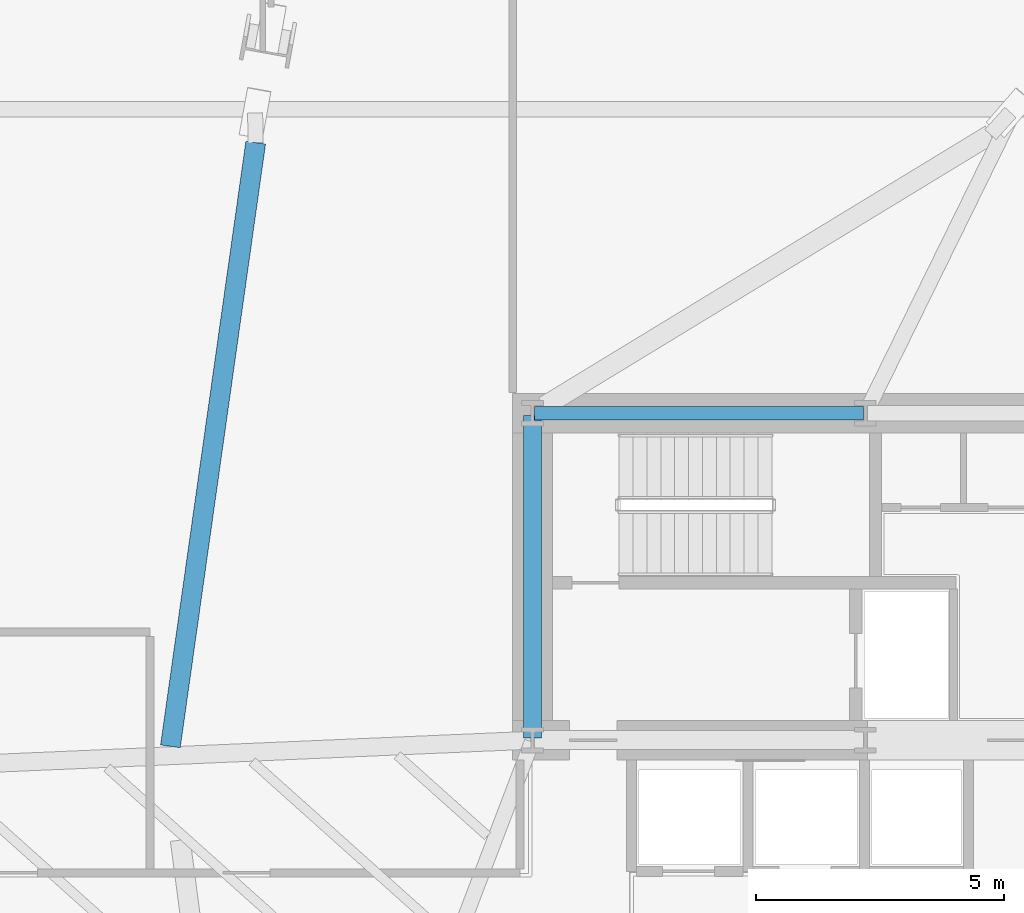
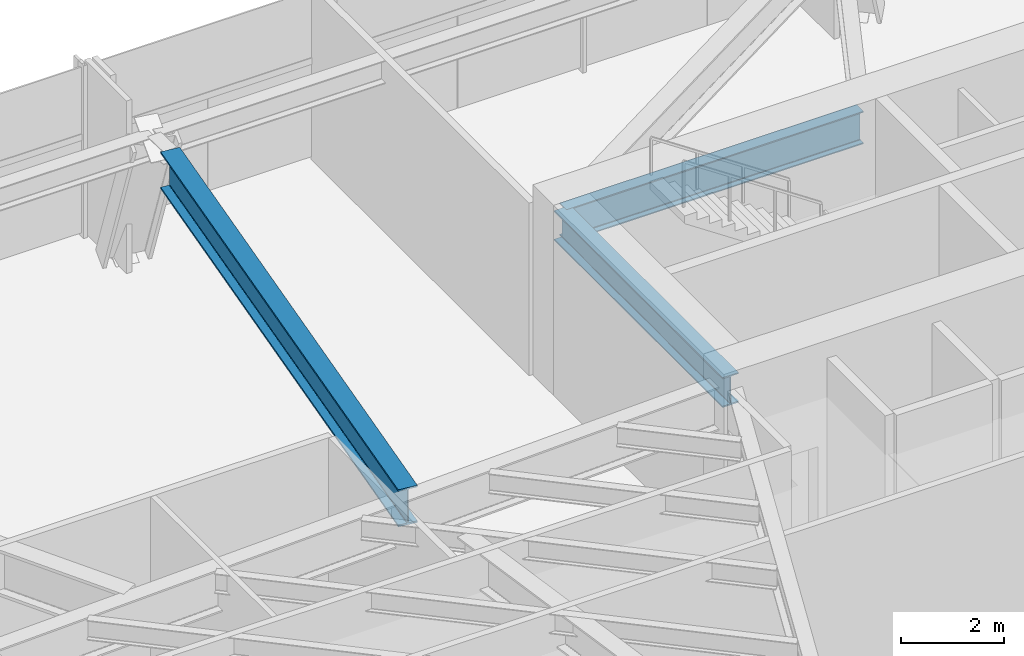
# One storey, part 11 of 30: 3 beams.
"""IFC4 building model written with IfcOpenShell, lengths in metres."""

from ifc_helpers import new_model, si_unit, direction, frame, origin, origin_2d, place, context, subcontext, project, spatial, i_section, extrude, source, transform, mapped, material, material_profile, profile_set, type_object, type_shapes, element, save


model = new_model("IFC4")

# Units and contexts
model_context = context("Model", 3, precision=1e-05, world=origin(), true_north=direction((0.0, 1.0)))
body_context = subcontext(model_context, "Body", "Model", "MODEL_VIEW")
ifc_project = project(units=[si_unit("LENGTHUNIT", "METRE"), si_unit("AREAUNIT", "SQUARE_METRE"), si_unit("VOLUMEUNIT", "CUBIC_METRE"), si_unit("PLANEANGLEUNIT", "RADIAN"), si_unit("MASSUNIT", "GRAM", prefix="KILO")], contexts=[model_context])

# Site, building, storey
site_placement = place(None, origin())
site = spatial("IfcSite", under=ifc_project, at=site_placement, CompositionType="ELEMENT")
building_placement = place(site_placement, origin())
building = spatial("IfcBuilding", under=site, at=building_placement, Name="Astriad Promenade Condominiums", CompositionType="ELEMENT")
storey_placement = place(building_placement, frame((0.0, 0.0, 14.0)))
storey = spatial("IfcBuildingStorey", under=building, at=storey_placement, Name="L03", CompositionType="ELEMENT", Elevation=14.0)

# Beams
ifc_material = material(Name="Steel ASTM A992 Grade 50", Category="steel")
ifc_material_profile_1 = material_profile(ifc_material, i_section(OverallWidth=0.267822265625, OverallDepth=0.76953125, WebThickness=0.015625, FlangeThickness=0.025390625, FilletRadius=0.021484375, at=origin_2d()), Name="W30X132")
ifc_profile_set_1 = profile_set([ifc_material_profile_1], Name="Steel ASTM A992 Grade 50")
beam_type_1 = type_object("IfcBeamType", Name="STEEL FLOOR GIRDER W30X132", PredefinedType="BEAM", material=ifc_profile_set_1)
shared_shape_1 = source(origin(), body_context, "Body", "SweptSolid", [
    extrude(i_section(OverallWidth=0.267822265625, OverallDepth=0.76953125, WebThickness=0.015625, FlangeThickness=0.025390625, FilletRadius=0.021484375, at=origin_2d()), origin(), (0.0, 0.0, 1.0), 6.64013671875),
])
type_shapes(beam_type_1, [shared_shape_1])
beam_1_placement = place(storey_placement, frame((26.43994140625, 24.0, 3.6953125), z_axis=(1.0, 0.0, 0.0), x_axis=(0.0, 1.0, 0.0)))
element("IfcBeam", 1, at=beam_1_placement, inside=storey, type_object=beam_type_1, Name="Core Ring Beam CG-N1-L03", PredefinedType="BEAM", context=body_context, shape_type="MappedRepresentation", body=[
    mapped(shared_shape_1, transform((0.0, 0.0, 0.0), scale=1.0)),
])
ifc_material_profile_2 = material_profile(ifc_material, i_section(OverallWidth=0.35791015625, OverallDepth=0.706298828125, WebThickness=0.018310546875, FlangeThickness=0.0302734375, FilletRadius=0.020263671875, at=origin_2d()), Name="W27X178")
ifc_profile_set_2 = profile_set([ifc_material_profile_2], Name="Steel ASTM A992 Grade 50")
beam_type_2 = type_object("IfcBeamType", Name="STEEL FLOOR GIRDER W27X178", PredefinedType="BEAM", material=ifc_profile_set_2)
shared_shape_2 = source(origin(), body_context, "Body", "SweptSolid", [
    extrude(i_section(OverallWidth=0.35791015625, OverallDepth=0.706298828125, WebThickness=0.018310546875, FlangeThickness=0.0302734375, FilletRadius=0.020263671875, at=origin_2d()), origin(), (0.0, 0.0, 1.0), 6.52001953125),
])
type_shapes(beam_type_2, [shared_shape_2])
beam_2_placement = place(storey_placement, frame((26.39990234375, 17.43994140625, 3.726806640625), z_axis=(0.0, 1.0, 0.0), x_axis=(-1.0, 0.0, 0.0)))
element("IfcBeam", 2, at=beam_2_placement, inside=storey, type_object=beam_type_2, Name="Core Ring Beam CG-W1-L03", PredefinedType="BEAM", context=body_context, shape_type="MappedRepresentation", body=[
    mapped(shared_shape_2, transform((0.0, 0.0, 0.0), scale=1.0)),
])
ifc_material_profile_3 = material_profile(ifc_material, i_section(OverallWidth=0.4013671875, OverallDepth=0.877197265625, WebThickness=0.022216796875, FlangeThickness=0.039794921875, FilletRadius=0.02294921875, at=origin_2d()), Name="W33X263")
ifc_profile_set_3 = profile_set([ifc_material_profile_3], Name="Steel ASTM A992 Grade 50")
beam_type_3 = type_object("IfcBeamType", Name="STEEL TRANSFER CARRIER GIRDER W33X263", PredefinedType="BEAM", material=ifc_profile_set_3)
shared_shape_3 = source(origin(), body_context, "Body", "SweptSolid", [
    extrude(i_section(OverallWidth=0.4013671875, OverallDepth=0.877197265625, WebThickness=0.022216796875, FlangeThickness=0.039794921875, FilletRadius=0.02294921875, at=origin_2d()), origin(), (0.0, 0.0, 1.0), 12.307861328125),
])
type_shapes(beam_type_3, [shared_shape_3])
beam_3_placement = place(storey_placement, frame((19.08837890625, 17.276611328125, 3.641357421875), z_axis=(0.139924357039, 0.990162195959, 0.0), x_axis=(-0.990162195959, 0.139924357039, 0.0)))
element("IfcBeam", 3, at=beam_3_placement, inside=storey, type_object=beam_type_3, Name="Transfer Splice Carrier TRM-SP-PC07-L03", PredefinedType="BEAM", context=body_context, shape_type="MappedRepresentation", body=[
    mapped(shared_shape_3, transform((0.0, 0.0, 0.0), scale=1.0)),
])

save(model, "model.ifc")
